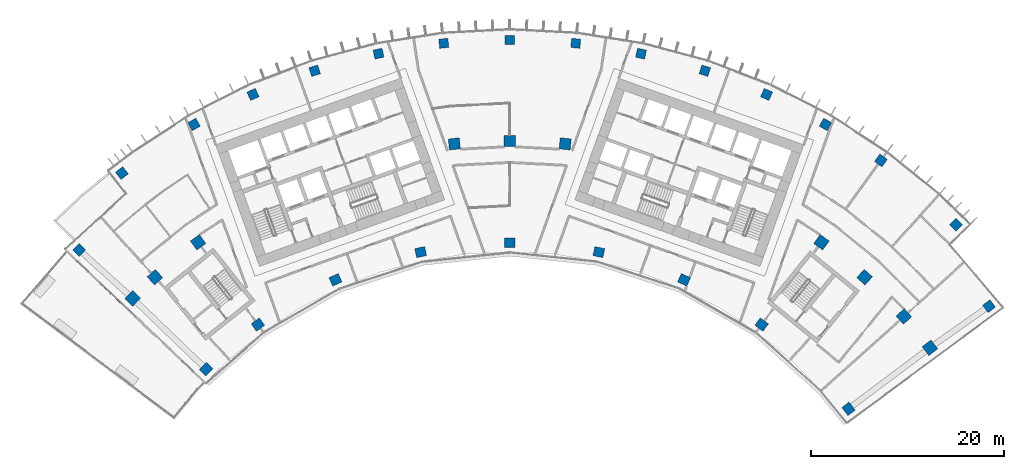
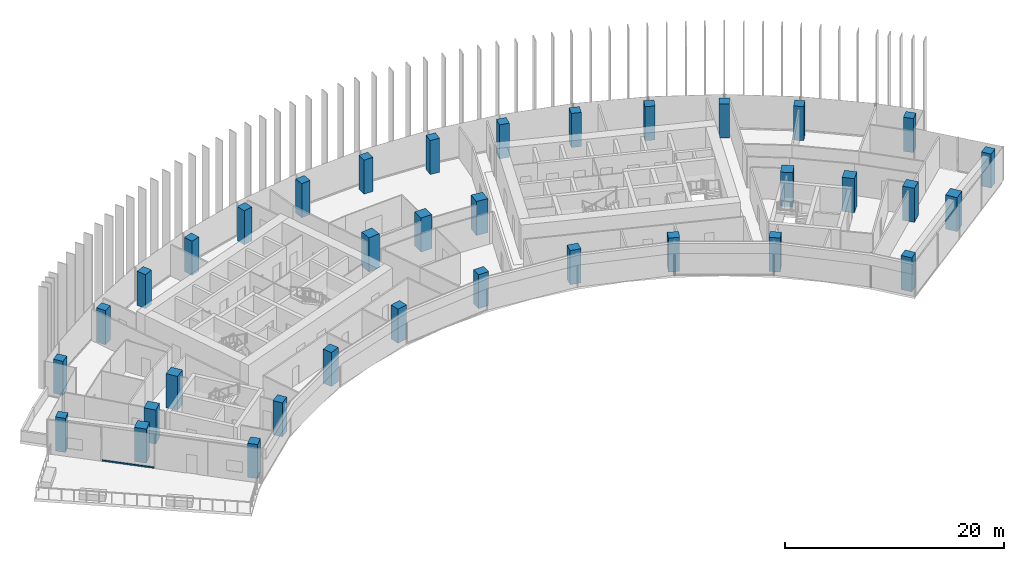
# One storey, part 1 of 20: 35 columns, 1 member, 1 element without a shape of its own.
"""IFC4 building model written with IfcOpenShell, lengths in metres."""

import ifcopenshell
import ifcopenshell.guid

model = None  # the IFC model being written
_history = None  # IfcOwnerHistory: only IFC2X3 demands one
_inside = {}  # id of a spatial element -> (the spatial element, [elements in it])
_under = {}  # id of a project, library or spatial element -> (it, [spatial elements below it])
_declared = {}  # id of a project -> (the project, [libraries it declares])
_typed = {}  # id of a type object -> (the type object, [elements of that type])
_made_of = {}  # id of a material, layer set ... -> (it, [elements and type objects made of it])


def new_model(schema):
    """Start an empty IFC model of exactly this schema.

    Asked for "IFC4X3", IfcOpenShell would pick the latest addendum, in which some entities
    have other attributes; the version numbers below select the first issue.
    IFC2X3 requires an IfcOwnerHistory on every rooted entity: one is made here for all.
    """
    global model, _history
    if schema == "IFC4X3":
        model = ifcopenshell.file(schema_version=(4, 3, 0, 0))
    else:
        model = ifcopenshell.file(schema=schema)
    _inside.clear()
    _under.clear()
    _declared.clear()
    _typed.clear()
    _made_of.clear()
    _history = None
    if model.schema == "IFC2X3":
        org = make("IfcOrganization", Name="unknown")
        user = make(
            "IfcPersonAndOrganization",
            ThePerson=make("IfcPerson", FamilyName="unknown"),
            TheOrganization=org,
        )
        app = make(
            "IfcApplication",
            ApplicationDeveloper=org,
            Version="unknown",
            ApplicationFullName="unknown",
            ApplicationIdentifier="unknown",
        )
        _history = make(
            "IfcOwnerHistory",
            OwningUser=user,
            OwningApplication=app,
            ChangeAction="ADDED",
            CreationDate=0,
        )
    return model


def make(cls, **values):
    """One entity of the class cls with the attributes given. An attribute that is None is left unset."""
    return model.create_entity(
        cls, **{name: value for name, value in values.items() if value is not None}
    )


def rooted(cls, **values):
    """An entity with a GlobalId (a new one), such as an element, a storey or a relation."""
    return make(cls, GlobalId=ifcopenshell.guid.new(), OwnerHistory=_history, **values)


def si_unit(unit_type, name, prefix=None):
    """IfcSIUnit, for example si_unit("LENGTHUNIT", "METRE", prefix="MILLI")."""
    return make("IfcSIUnit", UnitType=unit_type, Prefix=prefix, Name=name)


def assignment(units):
    """IfcUnitAssignment: the units of a project."""
    return None if units is None else make("IfcUnitAssignment", Units=units)


def point(xyz):
    """IfcCartesianPoint."""
    return None if xyz is None else make("IfcCartesianPoint", Coordinates=xyz)


def direction(xyz):
    """IfcDirection."""
    return None if xyz is None else make("IfcDirection", DirectionRatios=xyz)


def frame(location, z_axis=None, x_axis=None):
    """IfcAxis2Placement3D, a coordinate frame: its origin and axes. An axis left out is left unset."""
    return make(
        "IfcAxis2Placement3D",
        Location=point(location),
        Axis=direction(z_axis),
        RefDirection=direction(x_axis),
    )


def frame_2d(location, x_axis=None):
    """IfcAxis2Placement2D, a coordinate frame in the plane: its origin and x axis."""
    return make(
        "IfcAxis2Placement2D", Location=point(location), RefDirection=direction(x_axis)
    )


def origin():
    """The frame at (0, 0, 0) with its axes left unset."""
    return frame((0.0, 0.0, 0.0))


def origin_2d():
    """The frame at (0, 0) in the plane with its x axis left unset."""
    return frame_2d((0.0, 0.0))


def place(relative_to, where):
    """IfcLocalPlacement: puts the frame where relative to a parent placement (None: the world)."""
    return make(
        "IfcLocalPlacement", PlacementRelTo=relative_to, RelativePlacement=where
    )


def context(
    kind, dimensions, precision=None, world=None, true_north=None, identifier=None
):
    """IfcGeometricRepresentationContext, for example the 3D "Model" context."""
    return make(
        "IfcGeometricRepresentationContext",
        ContextIdentifier=identifier,
        ContextType=kind,
        CoordinateSpaceDimension=dimensions,
        Precision=precision,
        WorldCoordinateSystem=world,
        TrueNorth=true_north,
    )


def subcontext(parent, identifier, kind, view, scale=None):
    """IfcGeometricRepresentationSubContext, for example "Body" below "Model"."""
    return make(
        "IfcGeometricRepresentationSubContext",
        ContextIdentifier=identifier,
        ContextType=kind,
        ParentContext=parent,
        TargetScale=scale,
        TargetView=view,
    )


def project(units=None, contexts=None):
    """IfcProject with its units and contexts."""
    return rooted(
        "IfcProject",
        Name="project",
        RepresentationContexts=contexts,
        UnitsInContext=assignment(units),
    )


def spatial(cls, under=None, at=None, **own):
    """A site, building, storey or space (cls), placed at a placement, below another one or the project."""
    s = rooted(cls, ObjectPlacement=at, **own)
    if under is not None:
        _under.setdefault(under.id(), (under, []))[1].append(s)
    return s


def profile(cls, at=None, kind="AREA", **sizes):
    """A parametric profile (cls). Its sizes go by their IFC names, for example OverallWidth=200.0."""
    return make(cls, ProfileType=kind, Position=at, **sizes)


def rectangle(**sizes):
    """IfcRectangleProfileDef."""
    return profile("IfcRectangleProfileDef", **sizes)


def extrude(swept, where, along, depth):
    """IfcExtrudedAreaSolid: the profile swept, set in the frame where, extruded along a direction by depth."""
    return make(
        "IfcExtrudedAreaSolid",
        SweptArea=swept,
        Position=where,
        ExtrudedDirection=direction(along),
        Depth=depth,
    )


def shape(context_of_items, identifier, shape_type, items):
    """IfcShapeRepresentation: the items that make up one representation, for example the "Body"."""
    return make(
        "IfcShapeRepresentation",
        ContextOfItems=context_of_items,
        RepresentationIdentifier=identifier,
        RepresentationType=shape_type,
        Items=items,
    )


def material(Name=None, Category=None):
    """IfcMaterial."""
    return make("IfcMaterial", Name=Name, Category=Category)


def layer(
    of_material, thickness, ventilated=None, Name=None, Category=None, Priority=None
):
    """IfcMaterialLayer: one layer of a wall or slab, of a material (None: an air gap)."""
    return make(
        "IfcMaterialLayer",
        Material=of_material,
        LayerThickness=thickness,
        IsVentilated=ventilated,
        Name=Name,
        Category=Category,
        Priority=Priority,
    )


def layer_set(layers, Name=None):
    """IfcMaterialLayerSet."""
    return make("IfcMaterialLayerSet", MaterialLayers=layers, LayerSetName=Name)


def material_profile(
    of_material, cross_section, Name=None, Category=None, Priority=None
):
    """IfcMaterialProfile: a cross section and its material."""
    return make(
        "IfcMaterialProfile",
        Name=Name,
        Material=of_material,
        Profile=cross_section,
        Priority=Priority,
        Category=Category,
    )


def profile_set(profiles, Name=None, composite=None):
    """IfcMaterialProfileSet."""
    return make(
        "IfcMaterialProfileSet",
        Name=Name,
        MaterialProfiles=profiles,
        CompositeProfile=composite,
    )


def made_of(thing, what):
    """Note that an element or type object is made of a material, layer set ...; save() writes the relation."""
    if what is not None:
        _made_of.setdefault(what.id(), (what, []))[1].append(thing)
    return thing


def type_object(cls, material=None, **own):
    """A type object (cls), such as IfcWallType, which elements share."""
    return made_of(rooted(cls, **own), material)


def element(
    cls,
    number,
    at=None,
    inside=None,
    cuts=None,
    type_object=None,
    material=None,
    context=None,
    identifier="Body",
    shape_type=None,
    held_by="IfcProductDefinitionShape",
    body=None,
    shapes=None,
    **own,
):
    """One element of the class cls, such as IfcWall. Its Tag is "e" and its number.

    at: its placement. inside: the storey or other place that contains it. cuts: it is an
    opening in that element (IfcRelVoidsElement). A single representation is given by context,
    identifier, shape_type and body (its items); several are given by shapes. held_by: the class
    of the entity that holds the representations. save() writes the other relations.
    """
    e = rooted(cls, Tag="e%d" % number, ObjectPlacement=at, **own)
    if body is not None:
        shapes = [shape(context, identifier, shape_type, body)]
    if shapes is not None:
        e.Representation = make(held_by, Representations=shapes)
    if inside is not None:
        _inside.setdefault(inside.id(), (inside, []))[1].append(e)
    if cuts is not None:
        rooted(
            "IfcRelVoidsElement", RelatingBuildingElement=cuts, RelatedOpeningElement=e
        )
    if type_object is not None:
        _typed.setdefault(type_object.id(), (type_object, []))[1].append(e)
    return made_of(e, material)


def aggregate(whole, parts):
    """IfcRelAggregates: a whole, such as a stair, and the parts it consists of."""
    return rooted("IfcRelAggregates", RelatingObject=whole, RelatedObjects=parts)


def save(model, path):
    """Write the relations noted so far, then the file.

    IfcRelAggregates (storeys below a building ...), IfcRelContainedInSpatialStructure (elements
    in a storey), IfcRelDefinesByType, IfcRelAssociatesMaterial and IfcRelDeclares: one each for
    every whole, place, type object, material and project.
    """
    for whole, parts in _under.values():
        aggregate(whole, parts)
    for where, things in _inside.values():
        rooted(
            "IfcRelContainedInSpatialStructure",
            RelatedElements=things,
            RelatingStructure=where,
        )
    for kind, things in _typed.values():
        rooted("IfcRelDefinesByType", RelatedObjects=things, RelatingType=kind)
    for what, things in _made_of.values():
        rooted("IfcRelAssociatesMaterial", RelatedObjects=things, RelatingMaterial=what)
    for by, libraries in _declared.values():
        rooted("IfcRelDeclares", RelatingContext=by, RelatedDefinitions=libraries)
    model.write(path)


model = new_model("IFC4")

# Units and contexts
model_context = context("Model", 3, precision=1e-05, world=origin(), true_north=direction((0.0, 1.0)))
body_context = subcontext(model_context, "Body", "Model", "MODEL_VIEW")
ifc_project = project(units=[si_unit("LENGTHUNIT", "METRE"), si_unit("AREAUNIT", "SQUARE_METRE"), si_unit("VOLUMEUNIT", "CUBIC_METRE"), si_unit("PLANEANGLEUNIT", "RADIAN"), si_unit("MASSUNIT", "GRAM", prefix="KILO")], contexts=[model_context])

# Site, building, storey
site_placement = place(None, origin())
site = spatial("IfcSite", under=ifc_project, at=site_placement, CompositionType="ELEMENT")
building_placement = place(site_placement, origin())
building = spatial("IfcBuilding", under=site, at=building_placement, Name="Stone Belt Terrace Tower", CompositionType="ELEMENT")
storey_placement = place(building_placement, frame((0.0, 0.0, 201.0)))
storey = spatial("IfcBuildingStorey", under=building, at=storey_placement, Name="L48", CompositionType="ELEMENT", Elevation=201.0)

# Columns
ifc_material_1 = material(Name="Concrete B60", Category="concrete")
ifc_material_profile_1 = material_profile(ifc_material_1, rectangle(XDim=1.050048828125, YDim=0.949951171875, at=origin_2d()), Name="RC 1050x950")
ifc_profile_set_1 = profile_set([ifc_material_profile_1], Name="Concrete B60")
column_type_1 = type_object("IfcColumnType", Name="Column RC 1050x950 B60", PredefinedType="COLUMN", material=ifc_profile_set_1)
for number, where, z_axis, x_axis, name in (
    (1, (-31.5078125, 31.3466796875, 0.0), (0.0, 0.0, 1.0), (0.705293990601, 0.708914936239, 0.0), "Column L48 PA"),
    (2, (-26.1240234375, 35.956787109375, 0.0), (0.0, 0.0, 1.0), (0.809016994375, 0.587785252292, 0.0), "Column L48 P16"),
    (3, (-18.077392578125, 40.6025390625, 0.0), (0.0, 0.0, 1.0), (0.913545457643, 0.406736643076, 0.0), "Column L48 P18"),
    (4, (-9.240478515625, 43.473876953125, 0.0), (0.0, 0.0, 1.0), (0.978147600734, 0.207911690818, 0.0), "Column L48 P20"),
    (5, (0.0, 44.445068359375, 0.0), (0.0, 0.0, 1.0), (1.0, 0.0, 0.0), "Column L48 P22"),
    (6, (9.240478515625, 43.473876953125, 0.0), (0.0, 0.0, 1.0), (0.978147600734, -0.207911690818, 0.0), "Column L48 P24"),
    (7, (18.077392578125, 40.6025390625, 0.0), (0.0, 0.0, 1.0), (0.913545457643, -0.406736643076, 0.0), "Column L48 P26"),
    (8, (26.1240234375, 35.956787109375, 0.0), (0.0, 0.0, 1.0), (0.809016994375, -0.587785252292, 0.0), "Column L48 P28"),
    (9, (35.133056640625, 27.221923828125, 0.0), (0.0, 0.0, 1.0), (0.612484967582, -0.790482235402, 0.0), "Column L48 PB"),
):
    element("IfcColumn", number, at=place(storey_placement, frame(where, z_axis=z_axis, x_axis=x_axis)), inside=storey, type_object=column_type_1, Name=name, PredefinedType="COLUMN", context=body_context, shape_type="SweptSolid", body=[
        extrude(rectangle(XDim=1.050048828125, YDim=0.949951171875, at=origin_2d()), origin(), (0.0, 0.0, 1.0), 3.800048828125),
    ])
ifc_material_profile_2 = material_profile(ifc_material_1, rectangle(XDim=1.14990234375, YDim=1.14990234375, at=origin_2d()), Name="RC 1150x1150")
ifc_profile_set_2 = profile_set([ifc_material_profile_2], Name="Concrete B60")
column_type_2 = type_object("IfcColumnType", Name="Column RC 1150x1150 B60", PredefinedType="COLUMN", material=ifc_profile_set_2)
for number, where, z_axis, x_axis, name in (
    (10, (-39.108154296875, 38.67236328125, 0.0), (0.0, 0.0, 1.0), (0.703134133957, 0.711057233748, 0.0), "Column L48 QA"),
    (11, (-36.80224609375, 40.873046875, 0.0), (0.0, 0.0, 1.0), (0.743144825477, 0.669130606359, 0.0), "Column L48 Q15"),
    (12, (-32.328125, 44.495849609375, 0.0), (0.0, 0.0, 1.0), (0.809016994375, 0.587785252292, 0.0), "Column L48 Q16"),
    (13, (-5.7490234375, 54.69873046875, 0.0), (0.0, 0.0, 1.0), (0.994521895368, 0.104528463268, 0.0), "Column L48 Q21"),
    (14, (0.0, 55.0, 0.0), (0.0, 0.0, 1.0), (1.0, 0.0, 0.0), "Column L48 Q22"),
    (15, (5.7490234375, 54.69873046875, 0.0), (0.0, 0.0, 1.0), (0.994521895368, -0.104528463268, 0.0), "Column L48 Q23"),
    (16, (32.328125, 44.495849609375, 0.0), (0.0, 0.0, 1.0), (0.809016994375, -0.587785252292, 0.0), "Column L48 Q28"),
    (17, (36.80224609375, 40.873046875, 0.0), (0.0, 0.0, 1.0), (0.743144825477, -0.669130606359, 0.0), "Column L48 Q29"),
    (18, (40.873046875, 36.80224609375, 0.0), (0.0, 0.0, 1.0), (0.669130606359, -0.743144825477, 0.0), "Column L48 Q30"),
    (19, (43.57861328125, 33.55419921875, 0.0), (0.0, 0.0, 1.0), (0.610078787058, -0.792340755977, 0.0), "Column L48 QB"),
):
    element("IfcColumn", number, at=place(storey_placement, frame(where, z_axis=z_axis, x_axis=x_axis)), inside=storey, type_object=column_type_2, Name=name, PredefinedType="COLUMN", context=body_context, shape_type="SweptSolid", body=[
        extrude(rectangle(XDim=1.14990234375, YDim=1.14990234375, at=origin_2d()), origin(), (0.0, 0.0, 1.0), 3.800048828125),
    ])
ifc_material_profile_3 = material_profile(ifc_material_1, rectangle(XDim=0.949951171875, YDim=0.949951171875, at=origin_2d()), Name="RC 950x950")
ifc_profile_set_3 = profile_set([ifc_material_profile_3], Name="Concrete B60")
column_type_3 = type_object("IfcColumnType", Name="Column RC 950x950 B60", PredefinedType="COLUMN", material=ifc_profile_set_3)
for number, where, z_axis, x_axis, name in (
    (20, (-44.660400390625, 43.70703125, 0.0), (0.0, 0.0, 1.0), (0.699437600403, 0.714693670842, 0.0), "Column L48 RA"),
    (21, (49.70947265625, 37.86572265625, 0.0), (0.0, 0.0, 1.0), (0.605960632634, -0.795494633356, 0.0), "Column L48 RB"),
    (22, (-40.231201171875, 51.674560546875, 0.0), (0.0, 0.0, 1.0), (0.789057280835, 0.614319629803, 0.0), "Column L48 RNA"),
    (23, (-32.744384765625, 56.715087890625, 0.0), (0.0, 0.0, 1.0), (0.866025403784, 0.5, 0.0), "Column L48 R17"),
    (24, (-26.63671875, 59.8271484375, 0.0), (0.0, 0.0, 1.0), (0.913545457643, 0.406736643076, 0.0), "Column L48 R18"),
    (25, (-20.2373046875, 62.28369140625, 0.0), (0.0, 0.0, 1.0), (0.951056516295, 0.309016994375, 0.0), "Column L48 R19"),
    (26, (-13.615966796875, 64.057861328125, 0.0), (0.0, 0.0, 1.0), (0.978147600734, 0.207911690818, 0.0), "Column L48 R20"),
    (27, (-6.845458984375, 65.130126953125, 0.0), (0.0, 0.0, 1.0), (0.994521895368, 0.104528463268, 0.0), "Column L48 R21"),
    (28, (0.0, 65.489013671875, 0.0), (0.0, 0.0, 1.0), (1.0, 0.0, 0.0), "Column L48 R22"),
    (29, (6.845458984375, 65.130126953125, 0.0), (0.0, 0.0, 1.0), (0.994521895368, -0.104528463268, 0.0), "Column L48 R23"),
    (30, (13.615966796875, 64.057861328125, 0.0), (0.0, 0.0, 1.0), (0.978147600734, -0.207911690818, 0.0), "Column L48 R24"),
    (31, (20.2373046875, 62.28369140625, 0.0), (0.0, 0.0, 1.0), (0.951056516295, -0.309016994375, 0.0), "Column L48 R25"),
    (32, (26.63671875, 59.8271484375, 0.0), (0.0, 0.0, 1.0), (0.913545457643, -0.406736643076, 0.0), "Column L48 R26"),
    (33, (32.744384765625, 56.715087890625, 0.0), (0.0, 0.0, 1.0), (0.866025403784, -0.5, 0.0), "Column L48 R27"),
    (34, (38.493408203125, 52.981689453125, 0.0), (0.0, 0.0, 1.0), (0.809016994375, -0.587785252292, 0.0), "Column L48 R28"),
    (35, (46.29638671875, 46.318603515625, 0.0), (0.0, 0.0, 1.0), (0.707275837349, -0.706937684596, 0.0), "Column L48 RNB"),
):
    element("IfcColumn", number, at=place(storey_placement, frame(where, z_axis=z_axis, x_axis=x_axis)), inside=storey, type_object=column_type_3, Name=name, PredefinedType="COLUMN", context=body_context, shape_type="SweptSolid", body=[
        extrude(rectangle(XDim=0.949951171875, YDim=0.949951171875, at=origin_2d()), origin(), (0.0, 0.0, 1.0), 3.800048828125),
    ])

# Curtain wall, member
ifc_material_2 = material(Name="Aluminium 6063-T6 anodised frame", Category="aluminium")
ifc_layer = layer(ifc_material_2, 0.14990234375)
ifc_layer_set = layer_set([ifc_layer], Name="CW-E conservatory and damper hall curtain wall")
curtain_wall_type = type_object("IfcCurtainWallType", Name="CW-E conservatory and damper hall curtain wall", PredefinedType="NOTDEFINED", material=ifc_layer_set)
curtain_wall_placement = place(storey_placement, origin())
curtain_wall = element("IfcCurtainWall", 36, at=curtain_wall_placement, inside=storey, type_object=curtain_wall_type, Name="CW-E end face L48", PredefinedType="NOTDEFINED")
ifc_material_profile_4 = material_profile(ifc_material_2, rectangle(XDim=0.14990234375, YDim=0.14990234375, at=origin_2d()), Name="Aluminium 6063-T6 150x150")
ifc_profile_set_4 = profile_set([ifc_material_profile_4], Name="Aluminium 6063-T6 anodised frame")
member_type = type_object("IfcMemberType", Name="CW-E transom 150 x 150", PredefinedType="USERDEFINED", material=ifc_profile_set_4)
member_placement = place(storey_placement, frame((-42.43017578125, 40.215087890625, 0.074951171875), z_axis=(0.724938722791, -0.688813362384, 0.0), x_axis=(0.688813362384, 0.724938722791, 0.0)))
member = element("IfcMember", 37, at=member_placement, type_object=member_type, Name="CW-E transom 2.1", ObjectType="TRANSOM", PredefinedType="USERDEFINED", context=body_context, shape_type="SweptSolid", body=[
    extrude(rectangle(XDim=0.14990234375, YDim=0.14990234375, at=origin_2d()), origin(), (0.0, 0.0, 1.0), 4.919921875),
])
aggregate(curtain_wall, [member])

save(model, "model.ifc")
